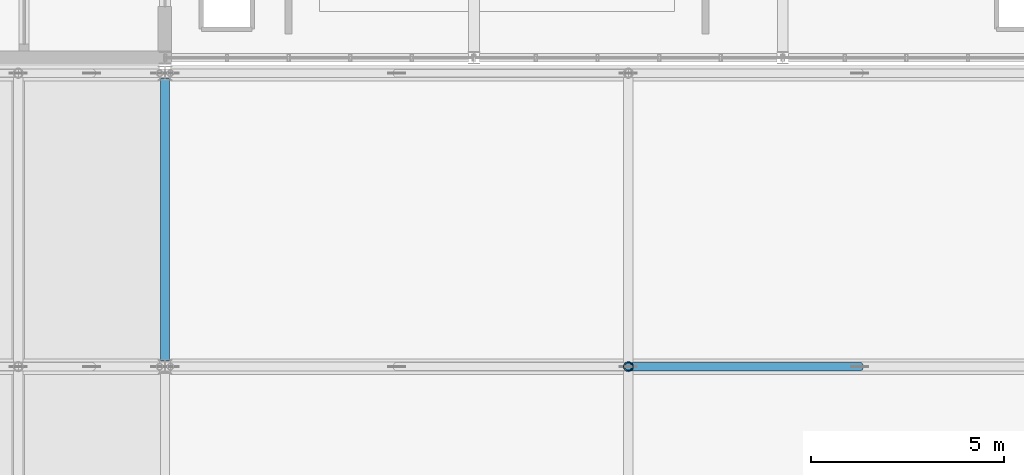
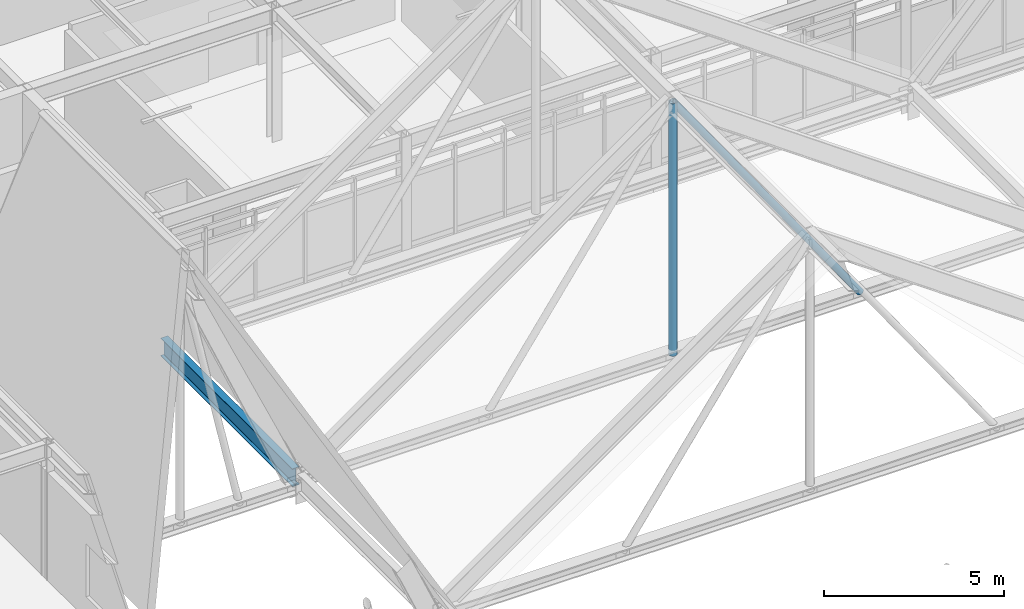
# One storey, part 54 of 100: 2 members, 1 beam.
"""IFC4 building model written with IfcOpenShell, lengths in metres."""

from ifc_helpers import new_model, si_unit, direction, frame, origin, origin_2d, place, context, subcontext, project, spatial, hollow_circle, i_section, extrude, material, material_profile, profile_set, type_object, element, save


model = new_model("IFC4")

# Units and contexts
model_context = context("Model", 3, precision=1e-05, world=origin(), true_north=direction((0.0, 1.0)))
body_context = subcontext(model_context, "Body", "Model", "MODEL_VIEW")
ifc_project = project(units=[si_unit("LENGTHUNIT", "METRE"), si_unit("AREAUNIT", "SQUARE_METRE"), si_unit("VOLUMEUNIT", "CUBIC_METRE"), si_unit("PLANEANGLEUNIT", "RADIAN"), si_unit("MASSUNIT", "GRAM", prefix="KILO")], contexts=[model_context])

# Site, building, storey
site_placement = place(None, origin())
site = spatial("IfcSite", under=ifc_project, at=site_placement, CompositionType="ELEMENT")
building_placement = place(site_placement, origin())
building = spatial("IfcBuilding", under=site, at=building_placement, Name="Zulena Civic Courthouse", CompositionType="ELEMENT")
storey_placement = place(building_placement, frame((0.0, 0.0, 20.39990234375)))
storey = spatial("IfcBuildingStorey", under=building, at=storey_placement, Name="L04", CompositionType="ELEMENT", Elevation=20.39990234375)

# Beam
ifc_material_1 = material(Name="Steel ASTM A992 Grade 50", Category="steel")
ifc_material_profile_1 = material_profile(ifc_material_1, i_section(OverallWidth=0.22802734375, OverallDepth=0.60693359375, WebThickness=0.01123046875, FlangeThickness=0.017333984375, FilletRadius=0.0126953125, at=origin_2d()), Name="W24X76")
ifc_profile_set_1 = profile_set([ifc_material_profile_1], Name="Steel ASTM A992 Grade 50")
beam_type = type_object("IfcBeamType", Name="RoofRafter_W24X76", PredefinedType="BEAM", material=ifc_profile_set_1)
beam_placement = place(storey_placement, frame((132.0, 22.93994140625, 0.485595703125), z_axis=(0.0, 1.0, 0.0), x_axis=(-1.0, 0.0, 0.0)))
element("IfcBeam", 1, at=beam_placement, inside=storey, type_object=beam_type, Name="beam:fold:val:L04:132.0:22.8", PredefinedType="BEAM", context=body_context, shape_type="SweptSolid", body=[
    extrude(i_section(OverallWidth=0.22802734375, OverallDepth=0.60693359375, WebThickness=0.01123046875, FlangeThickness=0.017333984375, FilletRadius=0.0126953125, at=origin_2d()), origin(), (0.0, 0.0, 1.0), 7.320068359375),
])

# Members
ifc_material_2 = material(Name="Steel ASTM A500 Grade C", Category="steel")
ifc_material_profile_2 = material_profile(ifc_material_2, hollow_circle(Radius=0.126953125, WallThickness=0.01171875, at=origin_2d()), Name="HSS10.000X0.500")
ifc_profile_set_2 = profile_set([ifc_material_profile_2], Name="Steel ASTM A500 Grade C")
member_type_1 = type_object("IfcMemberType", Name="RoofWeb_CHS10", PredefinedType="USERDEFINED", material=ifc_profile_set_2)
member_1_placement = place(storey_placement, frame((144.0, 22.800048828125, 0.536376953125), z_axis=(0.0, 0.0, 1.0), x_axis=(1.0, 0.0, 0.0)))
element("IfcMember", 2, at=member_1_placement, inside=storey, type_object=member_type_1, Name="mem:fold:king:06:22.8", ObjectType="ROOF TRUSS", PredefinedType="USERDEFINED", context=body_context, shape_type="SweptSolid", body=[
    extrude(hollow_circle(Radius=0.126953125, WallThickness=0.01171875, at=origin_2d()), origin(), (0.0, 0.0, 1.0), 8.56005859375),
])
ifc_material_profile_3 = material_profile(ifc_material_2, hollow_circle(Radius=0.109619140625, WallThickness=0.0087890625, at=origin_2d()), Name="HSS8.625X0.375")
ifc_profile_set_3 = profile_set([ifc_material_profile_3], Name="Steel ASTM A500 Grade C")
member_type_2 = type_object("IfcMemberType", Name="RoofWeb_CHS8", PredefinedType="USERDEFINED", material=ifc_profile_set_3)
member_2_placement = place(storey_placement, frame((150.0, 22.800048828125, 0.536376953125), z_axis=(-0.573973222061, 0.0, 0.81887406868), x_axis=(0.0, -1.0, 0.0)))
element("IfcMember", 3, at=member_2_placement, inside=storey, type_object=member_type_2, Name="mem:fold:diagE:06:22.8", ObjectType="ROOF TRUSS", PredefinedType="USERDEFINED", context=body_context, shape_type="SweptSolid", body=[
    extrude(hollow_circle(Radius=0.109619140625, WallThickness=0.0087890625, at=origin_2d()), origin(), (0.0, 0.0, 1.0), 10.453369140625),
])

save(model, "model.ifc")
